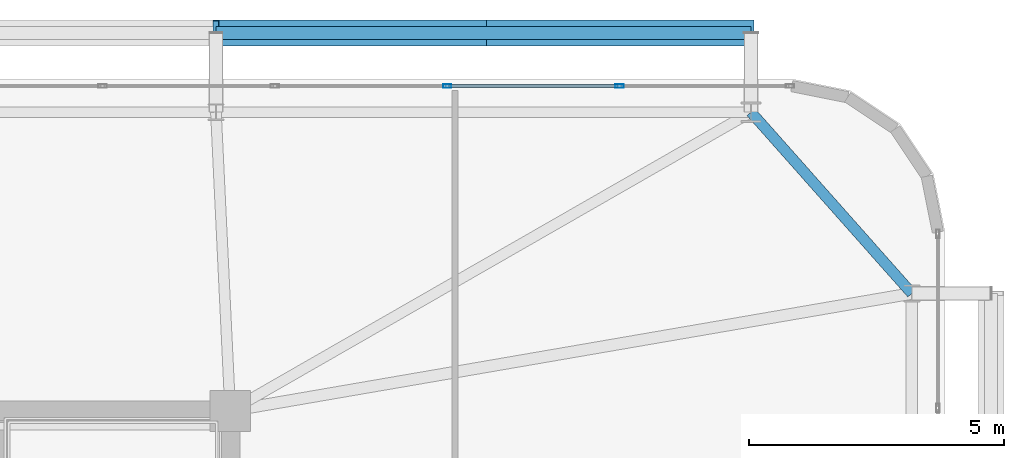
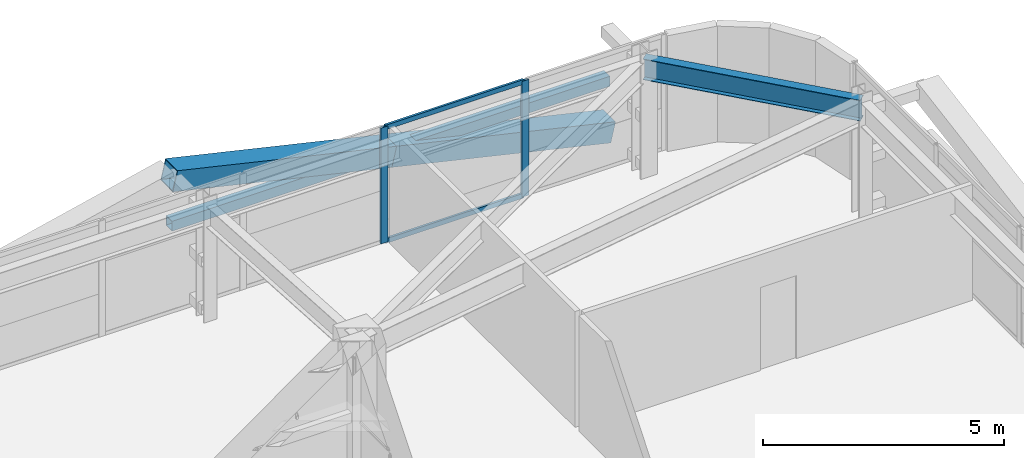
# One storey, part 40 of 58: 7 members, 1 beam, 1 element without a shape of its own.
"""IFC4 building model written with IfcOpenShell, lengths in metres."""

from ifc_helpers import new_model, si_unit, direction, frame, origin, origin_2d, place, context, subcontext, project, spatial, hollow_rectangle, i_section, extrude, source, transform, mapped, material, layer, layer_set, material_profile, profile_set, type_object, element, aggregate, save


model = new_model("IFC4")

# Units and contexts
model_context = context("Model", 3, precision=1e-05, world=origin(), true_north=direction((0.0, 1.0)))
body_context = subcontext(model_context, "Body", "Model", "MODEL_VIEW")
ifc_project = project(units=[si_unit("LENGTHUNIT", "METRE"), si_unit("AREAUNIT", "SQUARE_METRE"), si_unit("VOLUMEUNIT", "CUBIC_METRE"), si_unit("PLANEANGLEUNIT", "RADIAN"), si_unit("MASSUNIT", "GRAM", prefix="KILO")], contexts=[model_context])

# Site, building, storey
site_placement = place(None, origin())
site = spatial("IfcSite", under=ifc_project, at=site_placement, CompositionType="ELEMENT")
building_placement = place(site_placement, origin())
building = spatial("IfcBuilding", under=site, at=building_placement, Name="Taldren Reach Tower", CompositionType="ELEMENT")
storey_placement = place(building_placement, frame((0.0, 0.0, 32.550048828125)))
storey = spatial("IfcBuildingStorey", under=building, at=storey_placement, Name="L09", CompositionType="ELEMENT", Elevation=32.550048828125)

# Beam
ifc_material_1 = material(Name="Steel Gr 350 (350PLUS)", Category="steel")
ifc_material_profile_1 = material_profile(ifc_material_1, i_section(OverallWidth=0.208984375, OverallDepth=0.528076171875, WebThickness=0.009521484375, FlangeThickness=0.01318359375, at=origin_2d()), Name="530UB82.0")
ifc_profile_set_1 = profile_set([ifc_material_profile_1], Name="Steel Gr 350 (350PLUS)")
beam_type = type_object("IfcBeamType", Name="SP-UB530B", PredefinedType="SPANDREL", material=ifc_profile_set_1)
shared_shape_1 = source(origin(), body_context, "Body", "SweptSolid", [
    extrude(i_section(OverallWidth=0.208984375, OverallDepth=0.528076171875, WebThickness=0.009521484375, FlangeThickness=0.01318359375, at=origin_2d()), origin(), (0.0, 0.0, 1.0), 4.74609375),
])
beam_placement = place(storey_placement, frame((64.35009765625, 34.300048828125, 2.666015625), z_axis=(-0.663721843779, 0.747979487747, 0.0), x_axis=(-0.747979487747, -0.663721843779, 0.0)))
element("IfcBeam", 1, at=beam_placement, inside=storey, type_object=beam_type, Name="Perimeter spandrel B1 E3-N6 L09", PredefinedType="SPANDREL", context=body_context, shape_type="MappedRepresentation", body=[
    mapped(shared_shape_1, transform((0.0, 0.0, 0.0), scale=1.0)),
])

# Members
ifc_material_2 = material(Name="Steel Gr 450 (C450L0)", Category="steel")
ifc_material_profile_2 = material_profile(ifc_material_2, hollow_rectangle(XDim=0.510009765625, YDim=0.510009765625, WallThickness=0.02001953125, at=origin_2d()), Name="510x510x20.0SHS")
ifc_profile_set_2 = profile_set([ifc_material_profile_2], Name="Steel Gr 450 (C450L0)")
member_type_1 = type_object("IfcMemberType", Name="MB-EXO508", PredefinedType="BRACE", material=ifc_profile_set_2)
shared_shape_2 = source(origin(), body_context, "Body", "SweptSolid", [
    extrude(hollow_rectangle(XDim=0.510009765625, YDim=0.510009765625, WallThickness=0.02001953125, at=origin_2d()), origin(), (0.0, 0.0, 1.0), 5.37890625),
])
for number, where, z_axis, x_axis, name in (
    (2, (61.199951171875, 39.39990234375, 0.219970703125), (-0.97415197996, 0.0, 0.225893603143), (0.0, -1.0, 0.0), "Exoskeleton Diagrid Brace B1-N5 L09"),
    (3, (55.9599609375, 39.39990234375, 1.43505859375), (-0.974161966843, 0.0, 0.225850531007), (0.0, -1.0, 0.0), "Exoskeleton Diagrid Brace B1-N5 L09"),
):
    element("IfcMember", number, at=place(storey_placement, frame(where, z_axis=z_axis, x_axis=x_axis)), inside=storey, type_object=member_type_1, Name=name, PredefinedType="BRACE", context=body_context, shape_type="MappedRepresentation", body=[
        mapped(shared_shape_2, transform((0.0, 0.0, 0.0), scale=1.0)),
    ])
ifc_material_3 = material(Name="Steel Gr 350 (C350L0)", Category="steel")
ifc_material_profile_3 = material_profile(ifc_material_3, hollow_rectangle(XDim=0.25, YDim=0.25, WallThickness=0.010009765625, at=origin_2d()), Name="250x250x10.0SHS")
ifc_profile_set_3 = profile_set([ifc_material_profile_3], Name="Steel Gr 350 (C350L0)")
member_type_2 = type_object("IfcMemberType", Name="MB-POST250", PredefinedType="POST", material=ifc_profile_set_3)
shared_shape_3 = source(origin(), body_context, "Body", "SweptSolid", [
    extrude(hollow_rectangle(XDim=0.25, YDim=0.25, WallThickness=0.010009765625, at=origin_2d()), origin(), (0.0, 0.0, 1.0), 10.47998046875),
])
member_1_placement = place(storey_placement, frame((50.719970703125, 39.39990234375, 1.43505859375), z_axis=(1.0, 0.0, 0.0), x_axis=(0.0, 1.0, 0.0)))
element("IfcMember", 4, at=member_1_placement, inside=storey, type_object=member_type_2, Name="Exoskeleton mid-height ring chord B1-N5 L09", PredefinedType="POST", context=body_context, shape_type="MappedRepresentation", body=[
    mapped(shared_shape_3, transform((0.0, 0.0, 0.0), scale=1.0)),
])

# Curtain wall, members
ifc_material_4 = material(Name="Aluminium and Low-E Glass Unitised System", Category="aluminium")
ifc_layer = layer(ifc_material_4, 0.159912109375)
ifc_layer_set = layer_set([ifc_layer], Name="Aluminium and Low-E Glass Unitised System")
curtain_wall_type = type_object("IfcCurtainWallType", Name="CW-SYS-2", PredefinedType="NOTDEFINED", material=ifc_layer_set)
curtain_wall_placement = place(storey_placement, origin())
curtain_wall = element("IfcCurtainWall", 5, at=curtain_wall_placement, inside=storey, type_object=curtain_wall_type, Name="Unitised curtain wall CW-L09-N", PredefinedType="NOTDEFINED")
ifc_material_5 = material(Name="Anodised Aluminium 6063-T6", Category="aluminium")
ifc_material_profile_4 = material_profile(ifc_material_5, hollow_rectangle(XDim=0.06494140625, YDim=0.1650390625, WallThickness=0.00390625, at=origin_2d()), Name="ALU-165x65x4RHS")
ifc_profile_set_4 = profile_set([ifc_material_profile_4], Name="Anodised Aluminium 6063-T6")
member_type_3 = type_object("IfcMemberType", Name="CW-MUL-165", PredefinedType="MULLION", material=ifc_profile_set_4)
shared_shape_4 = source(origin(), body_context, "Body", "SweptSolid", [
    extrude(hollow_rectangle(XDim=0.06494140625, YDim=0.1650390625, WallThickness=0.00390625, at=origin_2d()), origin(), (0.0, 0.0, 1.0), 2.929931640625),
])
member_2_placement = place(storey_placement, frame((58.625, 38.360107421875, 0.0), z_axis=(0.0, 0.0, 1.0), x_axis=(0.0, -1.0, 0.0)))
member_2 = element("IfcMember", 6, at=member_2_placement, type_object=member_type_3, Name="CW-2 mullion 2", PredefinedType="MULLION", context=body_context, shape_type="MappedRepresentation", body=[
    mapped(shared_shape_4, transform((0.0, 0.0, 0.0), scale=1.0)),
])
member_3_placement = place(storey_placement, frame((55.25, 38.360107421875, 0.0), z_axis=(0.0, 0.0, 1.0), x_axis=(0.0, -1.0, 0.0)))
member_3 = element("IfcMember", 7, at=member_3_placement, type_object=member_type_3, Name="CW-2 mullion 3", PredefinedType="MULLION", context=body_context, shape_type="MappedRepresentation", body=[
    mapped(shared_shape_4, transform((0.0, 0.0, 0.0), scale=1.0)),
])
ifc_material_profile_5 = material_profile(ifc_material_5, hollow_rectangle(XDim=0.054931640625, YDim=0.1201171875, WallThickness=0.0029296875, at=origin_2d()), Name="ALU-120x55x3RHS")
ifc_profile_set_5 = profile_set([ifc_material_profile_5], Name="Anodised Aluminium 6063-T6")
member_type_4 = type_object("IfcMemberType", Name="CW-TRN-135", PredefinedType="USERDEFINED", material=ifc_profile_set_5)
shared_shape_5 = source(origin(), body_context, "Body", "SweptSolid", [
    extrude(hollow_rectangle(XDim=0.054931640625, YDim=0.1201171875, WallThickness=0.0029296875, at=origin_2d()), origin(), (0.0, 0.0, 1.0), 3.31005859375),
])
member_4_placement = place(storey_placement, frame((58.592529296875, 38.360107421875, 0.02734375), z_axis=(-1.0, 0.0, 0.0), x_axis=(0.0, -1.0, 0.0)))
member_4 = element("IfcMember", 8, at=member_4_placement, type_object=member_type_4, Name="CW-2 transom 2.1", ObjectType="TRANSOM", PredefinedType="USERDEFINED", context=body_context, shape_type="MappedRepresentation", body=[
    mapped(shared_shape_5, transform((0.0, 0.0, 0.0), scale=1.0)),
])
member_5_placement = place(storey_placement, frame((58.592529296875, 38.360107421875, 2.90234375), z_axis=(-1.0, 0.0, 0.0), x_axis=(0.0, -1.0, 0.0)))
member_5 = element("IfcMember", 9, at=member_5_placement, type_object=member_type_4, Name="CW-2 transom 2.2", ObjectType="TRANSOM", PredefinedType="USERDEFINED", context=body_context, shape_type="MappedRepresentation", body=[
    mapped(shared_shape_5, transform((0.0, 0.0, 0.0), scale=1.0)),
])
aggregate(curtain_wall, [member_2, member_3, member_4, member_5])

save(model, "model.ifc")
